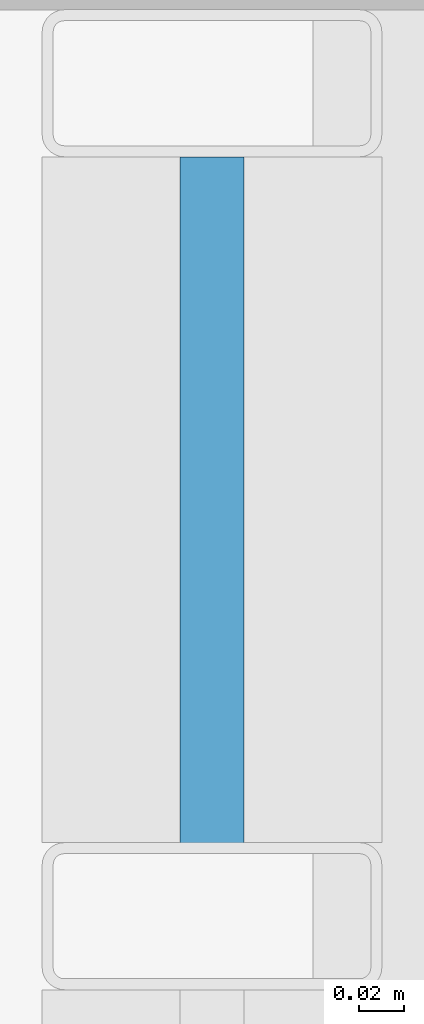
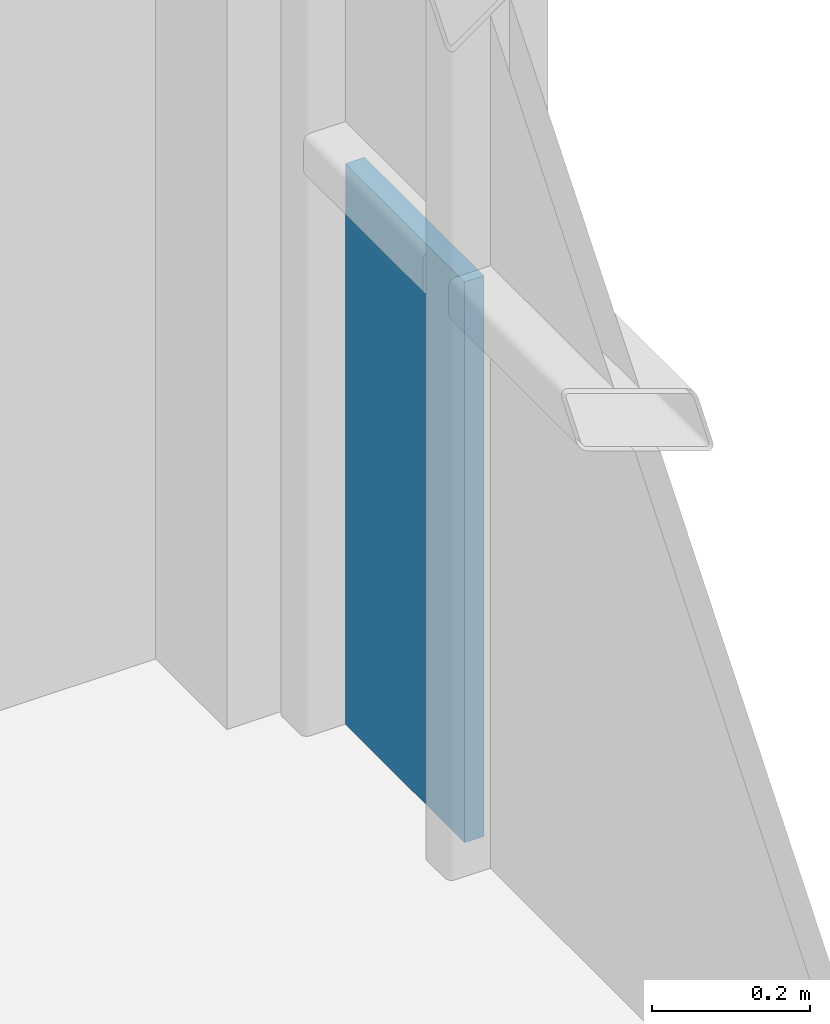
# One storey, part 30 of 41: 1 plate, 1 element without a shape of its own.
"""IFC4 building model written with IfcOpenShell, lengths in metres."""

import ifcopenshell
import ifcopenshell.guid

model = None  # the IFC model being written
_history = None  # IfcOwnerHistory: only IFC2X3 demands one
_inside = {}  # id of a spatial element -> (the spatial element, [elements in it])
_under = {}  # id of a project, library or spatial element -> (it, [spatial elements below it])
_declared = {}  # id of a project -> (the project, [libraries it declares])
_typed = {}  # id of a type object -> (the type object, [elements of that type])
_made_of = {}  # id of a material, layer set ... -> (it, [elements and type objects made of it])


def new_model(schema):
    """Start an empty IFC model of exactly this schema.

    Asked for "IFC4X3", IfcOpenShell would pick the latest addendum, in which some entities
    have other attributes; the version numbers below select the first issue.
    IFC2X3 requires an IfcOwnerHistory on every rooted entity: one is made here for all.
    """
    global model, _history
    if schema == "IFC4X3":
        model = ifcopenshell.file(schema_version=(4, 3, 0, 0))
    else:
        model = ifcopenshell.file(schema=schema)
    _inside.clear()
    _under.clear()
    _declared.clear()
    _typed.clear()
    _made_of.clear()
    _history = None
    if model.schema == "IFC2X3":
        org = make("IfcOrganization", Name="unknown")
        user = make(
            "IfcPersonAndOrganization",
            ThePerson=make("IfcPerson", FamilyName="unknown"),
            TheOrganization=org,
        )
        app = make(
            "IfcApplication",
            ApplicationDeveloper=org,
            Version="unknown",
            ApplicationFullName="unknown",
            ApplicationIdentifier="unknown",
        )
        _history = make(
            "IfcOwnerHistory",
            OwningUser=user,
            OwningApplication=app,
            ChangeAction="ADDED",
            CreationDate=0,
        )
    return model


def make(cls, **values):
    """One entity of the class cls with the attributes given. An attribute that is None is left unset."""
    return model.create_entity(
        cls, **{name: value for name, value in values.items() if value is not None}
    )


def rooted(cls, **values):
    """An entity with a GlobalId (a new one), such as an element, a storey or a relation."""
    return make(cls, GlobalId=ifcopenshell.guid.new(), OwnerHistory=_history, **values)


def si_unit(unit_type, name, prefix=None):
    """IfcSIUnit, for example si_unit("LENGTHUNIT", "METRE", prefix="MILLI")."""
    return make("IfcSIUnit", UnitType=unit_type, Prefix=prefix, Name=name)


def assignment(units):
    """IfcUnitAssignment: the units of a project."""
    return None if units is None else make("IfcUnitAssignment", Units=units)


def point(xyz):
    """IfcCartesianPoint."""
    return None if xyz is None else make("IfcCartesianPoint", Coordinates=xyz)


def direction(xyz):
    """IfcDirection."""
    return None if xyz is None else make("IfcDirection", DirectionRatios=xyz)


def frame(location, z_axis=None, x_axis=None):
    """IfcAxis2Placement3D, a coordinate frame: its origin and axes. An axis left out is left unset."""
    return make(
        "IfcAxis2Placement3D",
        Location=point(location),
        Axis=direction(z_axis),
        RefDirection=direction(x_axis),
    )


def frame_2d(location, x_axis=None):
    """IfcAxis2Placement2D, a coordinate frame in the plane: its origin and x axis."""
    return make(
        "IfcAxis2Placement2D", Location=point(location), RefDirection=direction(x_axis)
    )


def origin():
    """The frame at (0, 0, 0) with its axes left unset."""
    return frame((0.0, 0.0, 0.0))


def origin_2d():
    """The frame at (0, 0) in the plane with its x axis left unset."""
    return frame_2d((0.0, 0.0))


def place(relative_to, where):
    """IfcLocalPlacement: puts the frame where relative to a parent placement (None: the world)."""
    return make(
        "IfcLocalPlacement", PlacementRelTo=relative_to, RelativePlacement=where
    )


def context(
    kind, dimensions, precision=None, world=None, true_north=None, identifier=None
):
    """IfcGeometricRepresentationContext, for example the 3D "Model" context."""
    return make(
        "IfcGeometricRepresentationContext",
        ContextIdentifier=identifier,
        ContextType=kind,
        CoordinateSpaceDimension=dimensions,
        Precision=precision,
        WorldCoordinateSystem=world,
        TrueNorth=true_north,
    )


def subcontext(parent, identifier, kind, view, scale=None):
    """IfcGeometricRepresentationSubContext, for example "Body" below "Model"."""
    return make(
        "IfcGeometricRepresentationSubContext",
        ContextIdentifier=identifier,
        ContextType=kind,
        ParentContext=parent,
        TargetScale=scale,
        TargetView=view,
    )


def project(units=None, contexts=None):
    """IfcProject with its units and contexts."""
    return rooted(
        "IfcProject",
        Name="project",
        RepresentationContexts=contexts,
        UnitsInContext=assignment(units),
    )


def spatial(cls, under=None, at=None, **own):
    """A site, building, storey or space (cls), placed at a placement, below another one or the project."""
    s = rooted(cls, ObjectPlacement=at, **own)
    if under is not None:
        _under.setdefault(under.id(), (under, []))[1].append(s)
    return s


def profile(cls, at=None, kind="AREA", **sizes):
    """A parametric profile (cls). Its sizes go by their IFC names, for example OverallWidth=200.0."""
    return make(cls, ProfileType=kind, Position=at, **sizes)


def rectangle(**sizes):
    """IfcRectangleProfileDef."""
    return profile("IfcRectangleProfileDef", **sizes)


def extrude(swept, where, along, depth):
    """IfcExtrudedAreaSolid: the profile swept, set in the frame where, extruded along a direction by depth."""
    return make(
        "IfcExtrudedAreaSolid",
        SweptArea=swept,
        Position=where,
        ExtrudedDirection=direction(along),
        Depth=depth,
    )


def shape(context_of_items, identifier, shape_type, items):
    """IfcShapeRepresentation: the items that make up one representation, for example the "Body"."""
    return make(
        "IfcShapeRepresentation",
        ContextOfItems=context_of_items,
        RepresentationIdentifier=identifier,
        RepresentationType=shape_type,
        Items=items,
    )


def material(Name=None, Category=None):
    """IfcMaterial."""
    return make("IfcMaterial", Name=Name, Category=Category)


def layer(
    of_material, thickness, ventilated=None, Name=None, Category=None, Priority=None
):
    """IfcMaterialLayer: one layer of a wall or slab, of a material (None: an air gap)."""
    return make(
        "IfcMaterialLayer",
        Material=of_material,
        LayerThickness=thickness,
        IsVentilated=ventilated,
        Name=Name,
        Category=Category,
        Priority=Priority,
    )


def layer_set(layers, Name=None):
    """IfcMaterialLayerSet."""
    return make("IfcMaterialLayerSet", MaterialLayers=layers, LayerSetName=Name)


def made_of(thing, what):
    """Note that an element or type object is made of a material, layer set ...; save() writes the relation."""
    if what is not None:
        _made_of.setdefault(what.id(), (what, []))[1].append(thing)
    return thing


def type_object(cls, material=None, **own):
    """A type object (cls), such as IfcWallType, which elements share."""
    return made_of(rooted(cls, **own), material)


def element(
    cls,
    number,
    at=None,
    inside=None,
    cuts=None,
    type_object=None,
    material=None,
    context=None,
    identifier="Body",
    shape_type=None,
    held_by="IfcProductDefinitionShape",
    body=None,
    shapes=None,
    **own,
):
    """One element of the class cls, such as IfcWall. Its Tag is "e" and its number.

    at: its placement. inside: the storey or other place that contains it. cuts: it is an
    opening in that element (IfcRelVoidsElement). A single representation is given by context,
    identifier, shape_type and body (its items); several are given by shapes. held_by: the class
    of the entity that holds the representations. save() writes the other relations.
    """
    e = rooted(cls, Tag="e%d" % number, ObjectPlacement=at, **own)
    if body is not None:
        shapes = [shape(context, identifier, shape_type, body)]
    if shapes is not None:
        e.Representation = make(held_by, Representations=shapes)
    if inside is not None:
        _inside.setdefault(inside.id(), (inside, []))[1].append(e)
    if cuts is not None:
        rooted(
            "IfcRelVoidsElement", RelatingBuildingElement=cuts, RelatedOpeningElement=e
        )
    if type_object is not None:
        _typed.setdefault(type_object.id(), (type_object, []))[1].append(e)
    return made_of(e, material)


def aggregate(whole, parts):
    """IfcRelAggregates: a whole, such as a stair, and the parts it consists of."""
    return rooted("IfcRelAggregates", RelatingObject=whole, RelatedObjects=parts)


def save(model, path):
    """Write the relations noted so far, then the file.

    IfcRelAggregates (storeys below a building ...), IfcRelContainedInSpatialStructure (elements
    in a storey), IfcRelDefinesByType, IfcRelAssociatesMaterial and IfcRelDeclares: one each for
    every whole, place, type object, material and project.
    """
    for whole, parts in _under.values():
        aggregate(whole, parts)
    for where, things in _inside.values():
        rooted(
            "IfcRelContainedInSpatialStructure",
            RelatedElements=things,
            RelatingStructure=where,
        )
    for kind, things in _typed.values():
        rooted("IfcRelDefinesByType", RelatedObjects=things, RelatingType=kind)
    for what, things in _made_of.values():
        rooted("IfcRelAssociatesMaterial", RelatedObjects=things, RelatingMaterial=what)
    for by, libraries in _declared.values():
        rooted("IfcRelDeclares", RelatingContext=by, RelatedDefinitions=libraries)
    model.write(path)


model = new_model("IFC4")

# Units and contexts
model_context = context("Model", 3, precision=1e-05, world=origin(), true_north=direction((0.0, 1.0)))
body_context = subcontext(model_context, "Body", "Model", "MODEL_VIEW")
ifc_project = project(units=[si_unit("LENGTHUNIT", "METRE"), si_unit("AREAUNIT", "SQUARE_METRE"), si_unit("VOLUMEUNIT", "CUBIC_METRE"), si_unit("PLANEANGLEUNIT", "RADIAN"), si_unit("MASSUNIT", "GRAM", prefix="KILO")], contexts=[model_context])

# Site, building, storey
site_placement = place(None, origin())
site = spatial("IfcSite", under=ifc_project, at=site_placement, CompositionType="ELEMENT")
building_placement = place(site_placement, origin())
building = spatial("IfcBuilding", under=site, at=building_placement, Name="Brevholm Reach", CompositionType="ELEMENT")
storey_placement = place(building_placement, frame((0.0, 0.0, 68.300048828125)))
storey = spatial("IfcBuildingStorey", under=building, at=storey_placement, Name="L19", CompositionType="ELEMENT", Elevation=68.300048828125)

# Curtain wall, plate
ifc_material_1 = material(Name="Dark Anodised Aluminium 6063-T6 and Solar-Control Glass", Category="aluminium")
ifc_layer_1 = layer(ifc_material_1, 0.14990234375)
ifc_layer_set_1 = layer_set([ifc_layer_1], Name="Dark Anodised Aluminium 6063-T6 and Solar-Control Glass")
curtain_wall_type = type_object("IfcCurtainWallType", Name="CW-01", PredefinedType="NOTDEFINED", material=ifc_layer_set_1)
curtain_wall_placement = place(storey_placement, origin())
curtain_wall = element("IfcCurtainWall", 1, at=curtain_wall_placement, inside=storey, type_object=curtain_wall_type, Name="L19 Curtain Wall CW-01", PredefinedType="NOTDEFINED")
ifc_material_2 = material(Name="Dark Solar-Control Double-Glazed IGU Glass", Category="glass")
ifc_layer_2 = layer(ifc_material_2, 0.028076171875)
ifc_layer_set_2 = layer_set([ifc_layer_2], Name="Dark Solar-Control Double-Glazed IGU Glass")
plate_type = type_object("IfcPlateType", Name="CWP-GLZ-28", PredefinedType="CURTAIN_PANEL", material=ifc_layer_set_2)
plate_placement = place(storey_placement, frame((59.85009765625, 22.733642578125, 0.0), z_axis=(0.0, 0.0, 1.0), x_axis=(0.0, 1.0, 0.0)))
plate = element("IfcPlate", 2, at=plate_placement, type_object=plate_type, Name="CP-01 Glazing Panel 5.1", PredefinedType="CURTAIN_PANEL", context=body_context, shape_type="SweptSolid", body=[
    extrude(rectangle(XDim=0.302490234375, YDim=0.028076171875, at=origin_2d()), origin(), (0.0, 0.0, 1.0), 0.867431640625),
])
aggregate(curtain_wall, [plate])

save(model, "model.ifc")
